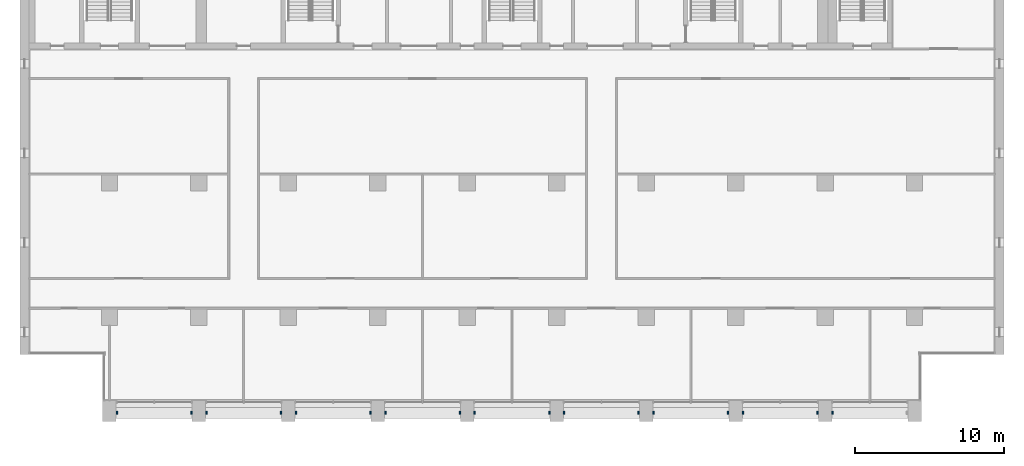
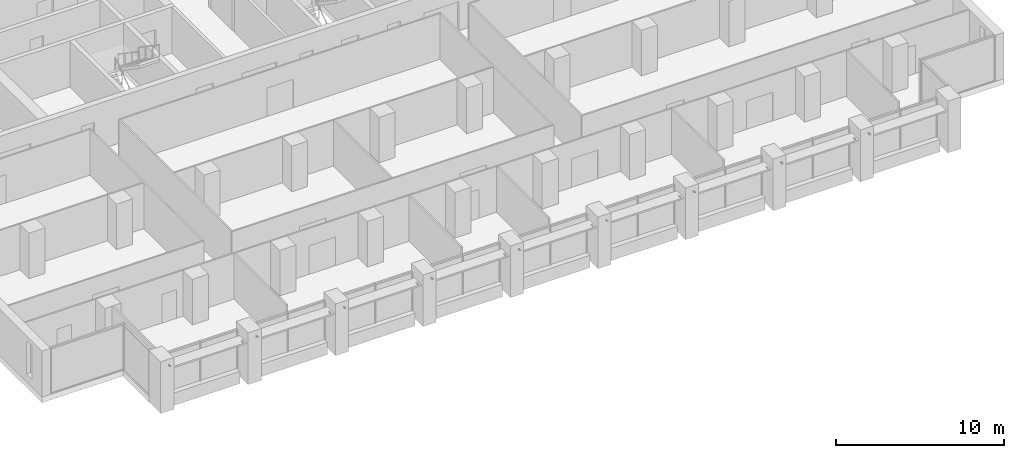
# One storey, part 14 of 17: 17 discrete accessories.
"""IFC4 building model written with IfcOpenShell, lengths in metres."""

from ifc_helpers import new_model, si_unit, direction, frame, origin, origin_2d, place, context, subcontext, project, spatial, rectangle, extrude, element, save


model = new_model("IFC4")

# Units and contexts
model_context = context("Model", 3, precision=1e-05, world=origin(), true_north=direction((0.0, 1.0)))
body_context = subcontext(model_context, "Body", "Model", "MODEL_VIEW")
ifc_project = project(units=[si_unit("LENGTHUNIT", "METRE"), si_unit("AREAUNIT", "SQUARE_METRE"), si_unit("VOLUMEUNIT", "CUBIC_METRE"), si_unit("PLANEANGLEUNIT", "RADIAN"), si_unit("MASSUNIT", "GRAM", prefix="KILO")], contexts=[model_context])

# Site, building, storey
site_placement = place(None, origin())
site = spatial("IfcSite", under=ifc_project, at=site_placement, CompositionType="ELEMENT")
building_placement = place(site_placement, origin())
building = spatial("IfcBuilding", under=site, at=building_placement, Name="Calvaro Tower", CompositionType="ELEMENT")
storey_placement = place(building_placement, frame((0.0, 0.0, 196.75)))
storey = spatial("IfcBuildingStorey", under=building, at=storey_placement, Name="L49", CompositionType="ELEMENT", Elevation=196.75)

# Discrete accessories
for number, where, z_axis, x_axis, name in (
    (1, (12.5, 3.60009765625, 2.349853515625), (0.0, 0.0, 1.0), (1.0, 0.0, 0.0), "Brise-soleil bracket"),
    (2, (17.5, 3.60009765625, 2.349853515625), (0.0, 0.0, 1.0), (1.0, 0.0, 0.0), "Brise-soleil bracket"),
    (3, (18.5, 3.60009765625, 2.349853515625), (0.0, 0.0, 1.0), (1.0, 0.0, 0.0), "Brise-soleil bracket"),
    (4, (23.5, 3.60009765625, 2.349853515625), (0.0, 0.0, 1.0), (1.0, 0.0, 0.0), "Brise-soleil bracket"),
    (5, (24.5, 3.60009765625, 2.349853515625), (0.0, 0.0, 1.0), (1.0, 0.0, 0.0), "Brise-soleil bracket"),
    (6, (29.5, 3.60009765625, 2.349853515625), (0.0, 0.0, 1.0), (1.0, 0.0, 0.0), "Brise-soleil bracket"),
    (7, (30.5, 3.60009765625, 2.349853515625), (0.0, 0.0, 1.0), (1.0, 0.0, 0.0), "Brise-soleil bracket"),
    (8, (35.5, 3.60009765625, 2.349853515625), (0.0, 0.0, 1.0), (1.0, 0.0, 0.0), "Brise-soleil bracket"),
    (9, (36.5, 3.60009765625, 2.349853515625), (0.0, 0.0, 1.0), (1.0, 0.0, 0.0), "Brise-soleil bracket"),
    (10, (41.5, 3.60009765625, 2.349853515625), (0.0, 0.0, 1.0), (1.0, 0.0, 0.0), "Brise-soleil bracket"),
    (11, (42.5, 3.60009765625, 2.349853515625), (0.0, 0.0, 1.0), (1.0, 0.0, 0.0), "Brise-soleil bracket"),
    (12, (47.5, 3.60009765625, 2.349853515625), (0.0, 0.0, 1.0), (1.0, 0.0, 0.0), "Brise-soleil bracket"),
    (13, (48.5, 3.60009765625, 2.349853515625), (0.0, 0.0, 1.0), (1.0, 0.0, 0.0), "Brise-soleil bracket"),
    (14, (53.5, 3.60009765625, 2.349853515625), (0.0, 0.0, 1.0), (1.0, 0.0, 0.0), "Brise-soleil bracket"),
    (15, (54.5, 3.60009765625, 2.349853515625), (0.0, 0.0, 1.0), (1.0, 0.0, 0.0), "Brise-soleil bracket"),
    (16, (59.5, 3.60009765625, 2.349853515625), (0.0, 0.0, 1.0), (1.0, 0.0, 0.0), "Brise-soleil bracket"),
    (17, (60.5, 3.60009765625, 2.349853515625), (0.0, 0.0, 1.0), (1.0, 0.0, 0.0), "Brise-soleil bracket"),
):
    element("IfcDiscreteAccessory", number, at=place(storey_placement, frame(where, z_axis=z_axis, x_axis=x_axis)), inside=storey, Name=name, PredefinedType="BRACKET", context=body_context, shape_type="SweptSolid", body=[
        extrude(rectangle(XDim=0.10009765625, YDim=0.199951171875, at=origin_2d()), origin(), (0.0, 0.0, 1.0), 0.10009765625),
    ])

save(model, "model.ifc")
